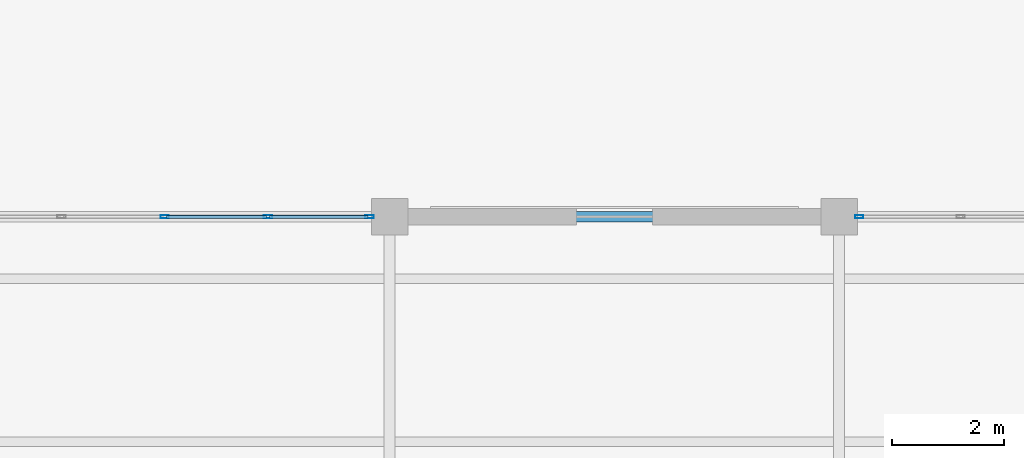
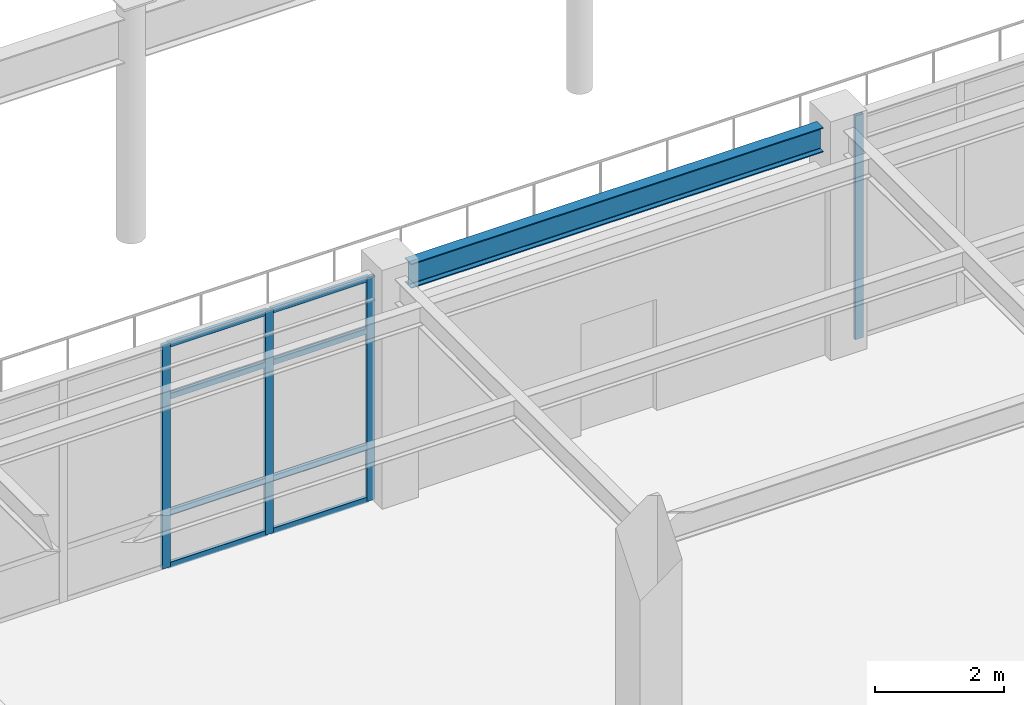
# One storey, part 26 of 78: 12 members, 1 beam, 2 elements without a shape of their own.
"""IFC4 building model written with IfcOpenShell, lengths in metres."""

from ifc_helpers import new_model, si_unit, direction, frame, origin, origin_2d, place, context, subcontext, project, spatial, hollow_rectangle, i_section, extrude, material, material_profile, profile_set, type_object, element, aggregate, save


model = new_model("IFC4")

# Units and contexts
model_context = context("Model", 3, precision=1e-05, world=origin(), true_north=direction((0.0, 1.0)))
body_context = subcontext(model_context, "Body", "Model", "MODEL_VIEW")
ifc_project = project(units=[si_unit("LENGTHUNIT", "METRE"), si_unit("AREAUNIT", "SQUARE_METRE"), si_unit("VOLUMEUNIT", "CUBIC_METRE"), si_unit("PLANEANGLEUNIT", "RADIAN"), si_unit("MASSUNIT", "GRAM", prefix="KILO")], contexts=[model_context])

# Site, building, storey
site_placement = place(None, origin())
site = spatial("IfcSite", under=ifc_project, at=site_placement, CompositionType="ELEMENT")
building_placement = place(site_placement, origin())
building = spatial("IfcBuilding", under=site, at=building_placement, Name="Solmirada Galleria", CompositionType="ELEMENT")
storey_placement = place(building_placement, frame((0.0, 0.0, 23.89990234375)))
storey = spatial("IfcBuildingStorey", under=building, at=storey_placement, Name="L05", CompositionType="ELEMENT", Elevation=23.89990234375)

# Beam
ifc_material_1 = material(Name="Steel S355 / ASTM A992 Grade 50", Category="steel")
ifc_material_profile_1 = material_profile(ifc_material_1, i_section(OverallWidth=0.193115234375, OverallDepth=0.466064453125, WebThickness=0.011474609375, FlangeThickness=0.01904296875, FilletRadius=0.013916015625, at=origin_2d()), Name="W18X65")
ifc_profile_set_1 = profile_set([ifc_material_profile_1], Name="Steel S355 / ASTM A992 Grade 50")
beam_type = type_object("IfcBeamType", Name="BM-GIRD-W18C", PredefinedType="BEAM", material=ifc_profile_set_1)
beam_placement = place(storey_placement, frame((120.324951171875, 24.0, 4.027099609375), z_axis=(1.0, 0.0, 0.0), x_axis=(0.0, 1.0, 0.0)))
element("IfcBeam", 1, at=beam_placement, inside=storey, type_object=beam_type, Name="Primary beam L06 X(120..128, 24)", PredefinedType="BEAM", context=body_context, shape_type="SweptSolid", body=[
    extrude(i_section(OverallWidth=0.193115234375, OverallDepth=0.466064453125, WebThickness=0.011474609375, FlangeThickness=0.01904296875, FilletRadius=0.013916015625, at=origin_2d()), origin(), (0.0, 0.0, 1.0), 7.35009765625),
])

# Curtain wall, members
ifc_material_2 = material(Name="Impact-resistant low-E double glazing", Category="glass")
curtain_wall_type = type_object("IfcCurtainWallType", Name="CW-FZ5-L05-B4-L074", PredefinedType="NOTDEFINED", material=ifc_material_2)
curtain_wall_1_placement = place(storey_placement, origin())
curtain_wall_1 = element("IfcCurtainWall", 2, at=curtain_wall_1_placement, inside=storey, type_object=curtain_wall_type, Name="Terrace and arcade storefront CW-L05-183", PredefinedType="NOTDEFINED")
ifc_material_3 = material(Name="Anodised aluminium framing", Category="aluminium")
ifc_material_profile_2 = material_profile(ifc_material_3, hollow_rectangle(XDim=0.06005859375, YDim=0.14990234375, WallThickness=0.00341796875, InnerFilletRadius=0.00341796875, OuterFilletRadius=0.007080078125, at=origin_2d()), Name="ALU-MULL-150X60")
ifc_profile_set_2 = profile_set([ifc_material_profile_2], Name="Anodised aluminium framing")
member_type_1 = type_object("IfcMemberType", Name="CW-MULL-150", PredefinedType="MULLION", material=ifc_profile_set_2)
member_1_placement = place(storey_placement, frame((116.0, 24.0, 0.0), z_axis=(0.0, 0.0, 1.0), x_axis=(0.0, 1.0, 0.0)))
member_1 = element("IfcMember", 3, at=member_1_placement, type_object=member_type_1, Name="CW37 mullion 3", PredefinedType="MULLION", context=body_context, shape_type="SweptSolid", body=[
    extrude(hollow_rectangle(XDim=0.06005859375, YDim=0.14990234375, WallThickness=0.00341796875, InnerFilletRadius=0.00341796875, OuterFilletRadius=0.007080078125, at=origin_2d()), origin(), (0.0, 0.0, 1.0), 4.22021484375),
])
member_2_placement = place(storey_placement, frame((117.83642578125, 24.0, 0.0), z_axis=(0.0, 0.0, 1.0), x_axis=(0.0, 1.0, 0.0)))
member_2 = element("IfcMember", 4, at=member_2_placement, type_object=member_type_1, Name="CW37 mullion 4", PredefinedType="MULLION", context=body_context, shape_type="SweptSolid", body=[
    extrude(hollow_rectangle(XDim=0.06005859375, YDim=0.14990234375, WallThickness=0.00341796875, InnerFilletRadius=0.00341796875, OuterFilletRadius=0.007080078125, at=origin_2d()), origin(), (0.0, 0.0, 1.0), 4.22021484375),
])
member_3_placement = place(storey_placement, frame((119.64306640625, 24.0, 0.0), z_axis=(0.0, 0.0, 1.0), x_axis=(0.0, 1.0, 0.0)))
member_3 = element("IfcMember", 5, at=member_3_placement, type_object=member_type_1, Name="CW37 mullion 5", PredefinedType="MULLION", context=body_context, shape_type="SweptSolid", body=[
    extrude(hollow_rectangle(XDim=0.06005859375, YDim=0.14990234375, WallThickness=0.00341796875, InnerFilletRadius=0.00341796875, OuterFilletRadius=0.007080078125, at=origin_2d()), origin(), (0.0, 0.0, 1.0), 4.22021484375),
])

# Curtain wall, member
curtain_wall_2_placement = place(storey_placement, origin())
curtain_wall_2 = element("IfcCurtainWall", 6, at=curtain_wall_2_placement, inside=storey, type_object=curtain_wall_type, Name="Terrace and arcade storefront CW-L05-184", PredefinedType="NOTDEFINED")
member_4_placement = place(storey_placement, frame((128.35693359375, 24.0, 0.0), z_axis=(0.0, 0.0, 1.0), x_axis=(0.0, 1.0, 0.0)))
member_4 = element("IfcMember", 7, at=member_4_placement, type_object=member_type_1, Name="CW37 mullion 1", PredefinedType="MULLION", context=body_context, shape_type="SweptSolid", body=[
    extrude(hollow_rectangle(XDim=0.06005859375, YDim=0.14990234375, WallThickness=0.00341796875, InnerFilletRadius=0.00341796875, OuterFilletRadius=0.007080078125, at=origin_2d()), origin(), (0.0, 0.0, 1.0), 4.22021484375),
])
aggregate(curtain_wall_2, [member_4])

# Member
ifc_material_profile_3 = material_profile(ifc_material_3, hollow_rectangle(XDim=0.06005859375, YDim=0.110107421875, WallThickness=0.003173828125, InnerFilletRadius=0.003173828125, OuterFilletRadius=0.00634765625, at=origin_2d()), Name="ALU-TRAN-110X60")
ifc_profile_set_3 = profile_set([ifc_material_profile_3], Name="Anodised aluminium framing")
member_type_2 = type_object("IfcMemberType", Name="CW-TRAN-110", PredefinedType="USERDEFINED", material=ifc_profile_set_3)
member_5_placement = place(storey_placement, frame((116.030029296875, 24.0, 0.030029296875), z_axis=(1.0, 0.0, 0.0), x_axis=(0.0, 1.0, 0.0)))
member_5 = element("IfcMember", 8, at=member_5_placement, type_object=member_type_2, Name="CW37 transom 3.1", ObjectType="TRANSOM", PredefinedType="USERDEFINED", context=body_context, shape_type="SweptSolid", body=[
    extrude(hollow_rectangle(XDim=0.06005859375, YDim=0.110107421875, WallThickness=0.003173828125, InnerFilletRadius=0.003173828125, OuterFilletRadius=0.00634765625, at=origin_2d()), origin(), (0.0, 0.0, 1.0), 1.7763671875),
])

member_6_placement = place(storey_placement, frame((116.030029296875, 24.0, 1.02001953125), z_axis=(1.0, 0.0, 0.0), x_axis=(0.0, 1.0, 0.0)))
member_6 = element("IfcMember", 9, at=member_6_placement, type_object=member_type_2, Name="CW37 transom 3.2", ObjectType="TRANSOM", PredefinedType="USERDEFINED", context=body_context, shape_type="SweptSolid", body=[
    extrude(hollow_rectangle(XDim=0.06005859375, YDim=0.110107421875, WallThickness=0.003173828125, InnerFilletRadius=0.003173828125, OuterFilletRadius=0.00634765625, at=origin_2d()), origin(), (0.0, 0.0, 1.0), 1.7763671875),
])

member_7_placement = place(storey_placement, frame((116.030029296875, 24.0, 3.210205078125), z_axis=(1.0, 0.0, 0.0), x_axis=(0.0, 1.0, 0.0)))
member_7 = element("IfcMember", 10, at=member_7_placement, type_object=member_type_2, Name="CW37 transom 3.3", ObjectType="TRANSOM", PredefinedType="USERDEFINED", context=body_context, shape_type="SweptSolid", body=[
    extrude(hollow_rectangle(XDim=0.06005859375, YDim=0.110107421875, WallThickness=0.003173828125, InnerFilletRadius=0.003173828125, OuterFilletRadius=0.00634765625, at=origin_2d()), origin(), (0.0, 0.0, 1.0), 1.7763671875),
])

member_8_placement = place(storey_placement, frame((116.030029296875, 24.0, 4.190185546875), z_axis=(1.0, 0.0, 0.0), x_axis=(0.0, 1.0, 0.0)))
member_8 = element("IfcMember", 11, at=member_8_placement, type_object=member_type_2, Name="CW37 transom 3.4", ObjectType="TRANSOM", PredefinedType="USERDEFINED", context=body_context, shape_type="SweptSolid", body=[
    extrude(hollow_rectangle(XDim=0.06005859375, YDim=0.110107421875, WallThickness=0.003173828125, InnerFilletRadius=0.003173828125, OuterFilletRadius=0.00634765625, at=origin_2d()), origin(), (0.0, 0.0, 1.0), 1.7763671875),
])

member_9_placement = place(storey_placement, frame((117.866455078125, 24.0, 0.030029296875), z_axis=(1.0, 0.0, 0.0), x_axis=(0.0, 1.0, 0.0)))
member_9 = element("IfcMember", 12, at=member_9_placement, type_object=member_type_2, Name="CW37 transom 4.1", ObjectType="TRANSOM", PredefinedType="USERDEFINED", context=body_context, shape_type="SweptSolid", body=[
    extrude(hollow_rectangle(XDim=0.06005859375, YDim=0.110107421875, WallThickness=0.003173828125, InnerFilletRadius=0.003173828125, OuterFilletRadius=0.00634765625, at=origin_2d()), origin(), (0.0, 0.0, 1.0), 1.74658203125),
])

member_10_placement = place(storey_placement, frame((117.866455078125, 24.0, 1.02001953125), z_axis=(1.0, 0.0, 0.0), x_axis=(0.0, 1.0, 0.0)))
member_10 = element("IfcMember", 13, at=member_10_placement, type_object=member_type_2, Name="CW37 transom 4.2", ObjectType="TRANSOM", PredefinedType="USERDEFINED", context=body_context, shape_type="SweptSolid", body=[
    extrude(hollow_rectangle(XDim=0.06005859375, YDim=0.110107421875, WallThickness=0.003173828125, InnerFilletRadius=0.003173828125, OuterFilletRadius=0.00634765625, at=origin_2d()), origin(), (0.0, 0.0, 1.0), 1.74658203125),
])

member_11_placement = place(storey_placement, frame((117.866455078125, 24.0, 3.210205078125), z_axis=(1.0, 0.0, 0.0), x_axis=(0.0, 1.0, 0.0)))
member_11 = element("IfcMember", 14, at=member_11_placement, type_object=member_type_2, Name="CW37 transom 4.3", ObjectType="TRANSOM", PredefinedType="USERDEFINED", context=body_context, shape_type="SweptSolid", body=[
    extrude(hollow_rectangle(XDim=0.06005859375, YDim=0.110107421875, WallThickness=0.003173828125, InnerFilletRadius=0.003173828125, OuterFilletRadius=0.00634765625, at=origin_2d()), origin(), (0.0, 0.0, 1.0), 1.74658203125),
])

member_12_placement = place(storey_placement, frame((117.866455078125, 24.0, 4.190185546875), z_axis=(1.0, 0.0, 0.0), x_axis=(0.0, 1.0, 0.0)))
member_12 = element("IfcMember", 15, at=member_12_placement, type_object=member_type_2, Name="CW37 transom 4.4", ObjectType="TRANSOM", PredefinedType="USERDEFINED", context=body_context, shape_type="SweptSolid", body=[
    extrude(hollow_rectangle(XDim=0.06005859375, YDim=0.110107421875, WallThickness=0.003173828125, InnerFilletRadius=0.003173828125, OuterFilletRadius=0.00634765625, at=origin_2d()), origin(), (0.0, 0.0, 1.0), 1.74658203125),
])

aggregate(curtain_wall_1, [member_1, member_2, member_3, member_5, member_6, member_7, member_8, member_9, member_10, member_11, member_12])

save(model, "model.ifc")
